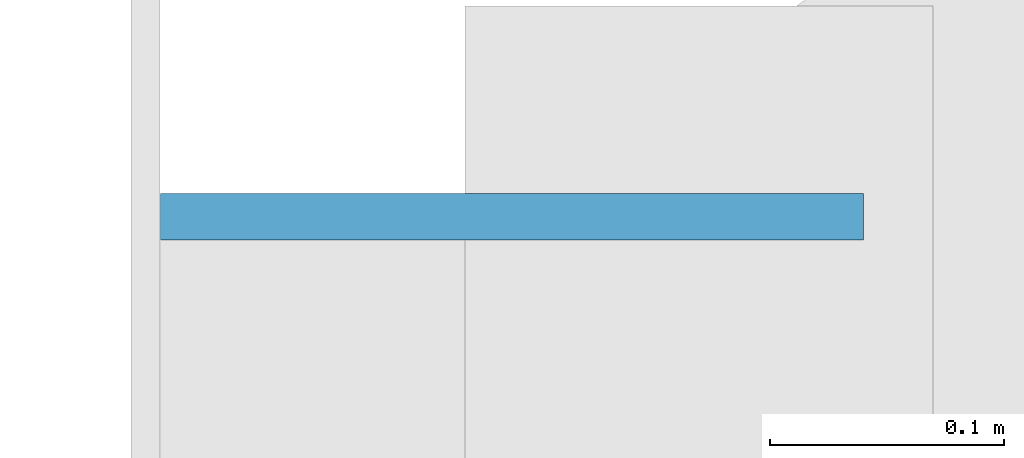
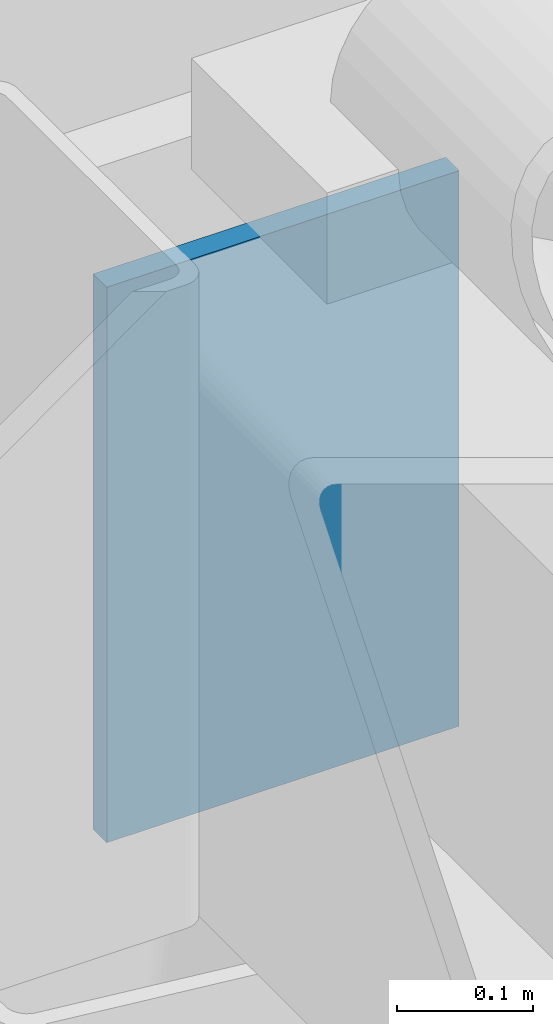
# One storey, part 101 of 141: 1 plate.
"""IFC4 building model written with IfcOpenShell, lengths in metres."""

import ifcopenshell
import ifcopenshell.guid

model = None  # the IFC model being written
_history = None  # IfcOwnerHistory: only IFC2X3 demands one
_inside = {}  # id of a spatial element -> (the spatial element, [elements in it])
_under = {}  # id of a project, library or spatial element -> (it, [spatial elements below it])
_declared = {}  # id of a project -> (the project, [libraries it declares])
_typed = {}  # id of a type object -> (the type object, [elements of that type])
_made_of = {}  # id of a material, layer set ... -> (it, [elements and type objects made of it])


def new_model(schema):
    """Start an empty IFC model of exactly this schema.

    Asked for "IFC4X3", IfcOpenShell would pick the latest addendum, in which some entities
    have other attributes; the version numbers below select the first issue.
    IFC2X3 requires an IfcOwnerHistory on every rooted entity: one is made here for all.
    """
    global model, _history
    if schema == "IFC4X3":
        model = ifcopenshell.file(schema_version=(4, 3, 0, 0))
    else:
        model = ifcopenshell.file(schema=schema)
    _inside.clear()
    _under.clear()
    _declared.clear()
    _typed.clear()
    _made_of.clear()
    _history = None
    if model.schema == "IFC2X3":
        org = make("IfcOrganization", Name="unknown")
        user = make(
            "IfcPersonAndOrganization",
            ThePerson=make("IfcPerson", FamilyName="unknown"),
            TheOrganization=org,
        )
        app = make(
            "IfcApplication",
            ApplicationDeveloper=org,
            Version="unknown",
            ApplicationFullName="unknown",
            ApplicationIdentifier="unknown",
        )
        _history = make(
            "IfcOwnerHistory",
            OwningUser=user,
            OwningApplication=app,
            ChangeAction="ADDED",
            CreationDate=0,
        )
    return model


def make(cls, **values):
    """One entity of the class cls with the attributes given. An attribute that is None is left unset."""
    return model.create_entity(
        cls, **{name: value for name, value in values.items() if value is not None}
    )


def rooted(cls, **values):
    """An entity with a GlobalId (a new one), such as an element, a storey or a relation."""
    return make(cls, GlobalId=ifcopenshell.guid.new(), OwnerHistory=_history, **values)


def si_unit(unit_type, name, prefix=None):
    """IfcSIUnit, for example si_unit("LENGTHUNIT", "METRE", prefix="MILLI")."""
    return make("IfcSIUnit", UnitType=unit_type, Prefix=prefix, Name=name)


def assignment(units):
    """IfcUnitAssignment: the units of a project."""
    return None if units is None else make("IfcUnitAssignment", Units=units)


def point(xyz):
    """IfcCartesianPoint."""
    return None if xyz is None else make("IfcCartesianPoint", Coordinates=xyz)


def direction(xyz):
    """IfcDirection."""
    return None if xyz is None else make("IfcDirection", DirectionRatios=xyz)


def frame(location, z_axis=None, x_axis=None):
    """IfcAxis2Placement3D, a coordinate frame: its origin and axes. An axis left out is left unset."""
    return make(
        "IfcAxis2Placement3D",
        Location=point(location),
        Axis=direction(z_axis),
        RefDirection=direction(x_axis),
    )


def frame_2d(location, x_axis=None):
    """IfcAxis2Placement2D, a coordinate frame in the plane: its origin and x axis."""
    return make(
        "IfcAxis2Placement2D", Location=point(location), RefDirection=direction(x_axis)
    )


def origin():
    """The frame at (0, 0, 0) with its axes left unset."""
    return frame((0.0, 0.0, 0.0))


def origin_2d():
    """The frame at (0, 0) in the plane with its x axis left unset."""
    return frame_2d((0.0, 0.0))


def place(relative_to, where):
    """IfcLocalPlacement: puts the frame where relative to a parent placement (None: the world)."""
    return make(
        "IfcLocalPlacement", PlacementRelTo=relative_to, RelativePlacement=where
    )


def context(
    kind, dimensions, precision=None, world=None, true_north=None, identifier=None
):
    """IfcGeometricRepresentationContext, for example the 3D "Model" context."""
    return make(
        "IfcGeometricRepresentationContext",
        ContextIdentifier=identifier,
        ContextType=kind,
        CoordinateSpaceDimension=dimensions,
        Precision=precision,
        WorldCoordinateSystem=world,
        TrueNorth=true_north,
    )


def subcontext(parent, identifier, kind, view, scale=None):
    """IfcGeometricRepresentationSubContext, for example "Body" below "Model"."""
    return make(
        "IfcGeometricRepresentationSubContext",
        ContextIdentifier=identifier,
        ContextType=kind,
        ParentContext=parent,
        TargetScale=scale,
        TargetView=view,
    )


def project(units=None, contexts=None):
    """IfcProject with its units and contexts."""
    return rooted(
        "IfcProject",
        Name="project",
        RepresentationContexts=contexts,
        UnitsInContext=assignment(units),
    )


def spatial(cls, under=None, at=None, **own):
    """A site, building, storey or space (cls), placed at a placement, below another one or the project."""
    s = rooted(cls, ObjectPlacement=at, **own)
    if under is not None:
        _under.setdefault(under.id(), (under, []))[1].append(s)
    return s


def profile(cls, at=None, kind="AREA", **sizes):
    """A parametric profile (cls). Its sizes go by their IFC names, for example OverallWidth=200.0."""
    return make(cls, ProfileType=kind, Position=at, **sizes)


def rectangle(**sizes):
    """IfcRectangleProfileDef."""
    return profile("IfcRectangleProfileDef", **sizes)


def extrude(swept, where, along, depth):
    """IfcExtrudedAreaSolid: the profile swept, set in the frame where, extruded along a direction by depth."""
    return make(
        "IfcExtrudedAreaSolid",
        SweptArea=swept,
        Position=where,
        ExtrudedDirection=direction(along),
        Depth=depth,
    )


def shape(context_of_items, identifier, shape_type, items):
    """IfcShapeRepresentation: the items that make up one representation, for example the "Body"."""
    return make(
        "IfcShapeRepresentation",
        ContextOfItems=context_of_items,
        RepresentationIdentifier=identifier,
        RepresentationType=shape_type,
        Items=items,
    )


def material(Name=None, Category=None):
    """IfcMaterial."""
    return make("IfcMaterial", Name=Name, Category=Category)


def layer(
    of_material, thickness, ventilated=None, Name=None, Category=None, Priority=None
):
    """IfcMaterialLayer: one layer of a wall or slab, of a material (None: an air gap)."""
    return make(
        "IfcMaterialLayer",
        Material=of_material,
        LayerThickness=thickness,
        IsVentilated=ventilated,
        Name=Name,
        Category=Category,
        Priority=Priority,
    )


def layer_set(layers, Name=None):
    """IfcMaterialLayerSet."""
    return make("IfcMaterialLayerSet", MaterialLayers=layers, LayerSetName=Name)


def made_of(thing, what):
    """Note that an element or type object is made of a material, layer set ...; save() writes the relation."""
    if what is not None:
        _made_of.setdefault(what.id(), (what, []))[1].append(thing)
    return thing


def type_object(cls, material=None, **own):
    """A type object (cls), such as IfcWallType, which elements share."""
    return made_of(rooted(cls, **own), material)


def element(
    cls,
    number,
    at=None,
    inside=None,
    cuts=None,
    type_object=None,
    material=None,
    context=None,
    identifier="Body",
    shape_type=None,
    held_by="IfcProductDefinitionShape",
    body=None,
    shapes=None,
    **own,
):
    """One element of the class cls, such as IfcWall. Its Tag is "e" and its number.

    at: its placement. inside: the storey or other place that contains it. cuts: it is an
    opening in that element (IfcRelVoidsElement). A single representation is given by context,
    identifier, shape_type and body (its items); several are given by shapes. held_by: the class
    of the entity that holds the representations. save() writes the other relations.
    """
    e = rooted(cls, Tag="e%d" % number, ObjectPlacement=at, **own)
    if body is not None:
        shapes = [shape(context, identifier, shape_type, body)]
    if shapes is not None:
        e.Representation = make(held_by, Representations=shapes)
    if inside is not None:
        _inside.setdefault(inside.id(), (inside, []))[1].append(e)
    if cuts is not None:
        rooted(
            "IfcRelVoidsElement", RelatingBuildingElement=cuts, RelatedOpeningElement=e
        )
    if type_object is not None:
        _typed.setdefault(type_object.id(), (type_object, []))[1].append(e)
    return made_of(e, material)


def aggregate(whole, parts):
    """IfcRelAggregates: a whole, such as a stair, and the parts it consists of."""
    return rooted("IfcRelAggregates", RelatingObject=whole, RelatedObjects=parts)


def save(model, path):
    """Write the relations noted so far, then the file.

    IfcRelAggregates (storeys below a building ...), IfcRelContainedInSpatialStructure (elements
    in a storey), IfcRelDefinesByType, IfcRelAssociatesMaterial and IfcRelDeclares: one each for
    every whole, place, type object, material and project.
    """
    for whole, parts in _under.values():
        aggregate(whole, parts)
    for where, things in _inside.values():
        rooted(
            "IfcRelContainedInSpatialStructure",
            RelatedElements=things,
            RelatingStructure=where,
        )
    for kind, things in _typed.values():
        rooted("IfcRelDefinesByType", RelatedObjects=things, RelatingType=kind)
    for what, things in _made_of.values():
        rooted("IfcRelAssociatesMaterial", RelatedObjects=things, RelatingMaterial=what)
    for by, libraries in _declared.values():
        rooted("IfcRelDeclares", RelatingContext=by, RelatedDefinitions=libraries)
    model.write(path)


model = new_model("IFC4")

# Units and contexts
model_context = context("Model", 3, precision=1e-05, world=origin(), true_north=direction((0.0, 1.0)))
body_context = subcontext(model_context, "Body", "Model", "MODEL_VIEW")
ifc_project = project(units=[si_unit("LENGTHUNIT", "METRE"), si_unit("AREAUNIT", "SQUARE_METRE"), si_unit("VOLUMEUNIT", "CUBIC_METRE"), si_unit("PLANEANGLEUNIT", "RADIAN"), si_unit("MASSUNIT", "GRAM", prefix="KILO")], contexts=[model_context])

# Site, building, storey
site_placement = place(None, origin())
site = spatial("IfcSite", under=ifc_project, at=site_placement, CompositionType="ELEMENT")
building_placement = place(site_placement, origin())
building = spatial("IfcBuilding", under=site, at=building_placement, Name="Lantern Court Media Centre", CompositionType="ELEMENT")
storey_placement = place(building_placement, frame((0.0, 0.0, 9.60009765625)))
storey = spatial("IfcBuildingStorey", under=building, at=storey_placement, Name="L02", CompositionType="ELEMENT", Elevation=9.60009765625)

# Plate
ifc_material = material(Name="Steel S355J2 (EN 10025-2)", Category="steel")
ifc_layer = layer(ifc_material, 0.02001953125)
ifc_layer_set = layer_set([ifc_layer], Name="Steel S355J2 (EN 10025-2)")
plate_type = type_object("IfcPlateType", Name="Steel end plate 20", PredefinedType="SHEET", material=ifc_layer_set)
plate_placement = place(storey_placement, frame((71.85009765625, 40.010009765625, 4.199951171875), z_axis=(0.0, 0.0, 1.0), x_axis=(1.0, 0.0, 0.0)))
element("IfcPlate", 1, at=plate_placement, inside=storey, type_object=plate_type, Name="Studio Hall edge girder end plate west north", PredefinedType="SHEET", context=body_context, shape_type="SweptSolid", body=[
    extrude(rectangle(XDim=0.300048828125, YDim=0.02001953125, at=origin_2d()), origin(), (0.0, 0.0, 1.0), 0.5),
])

save(model, "model.ifc")
